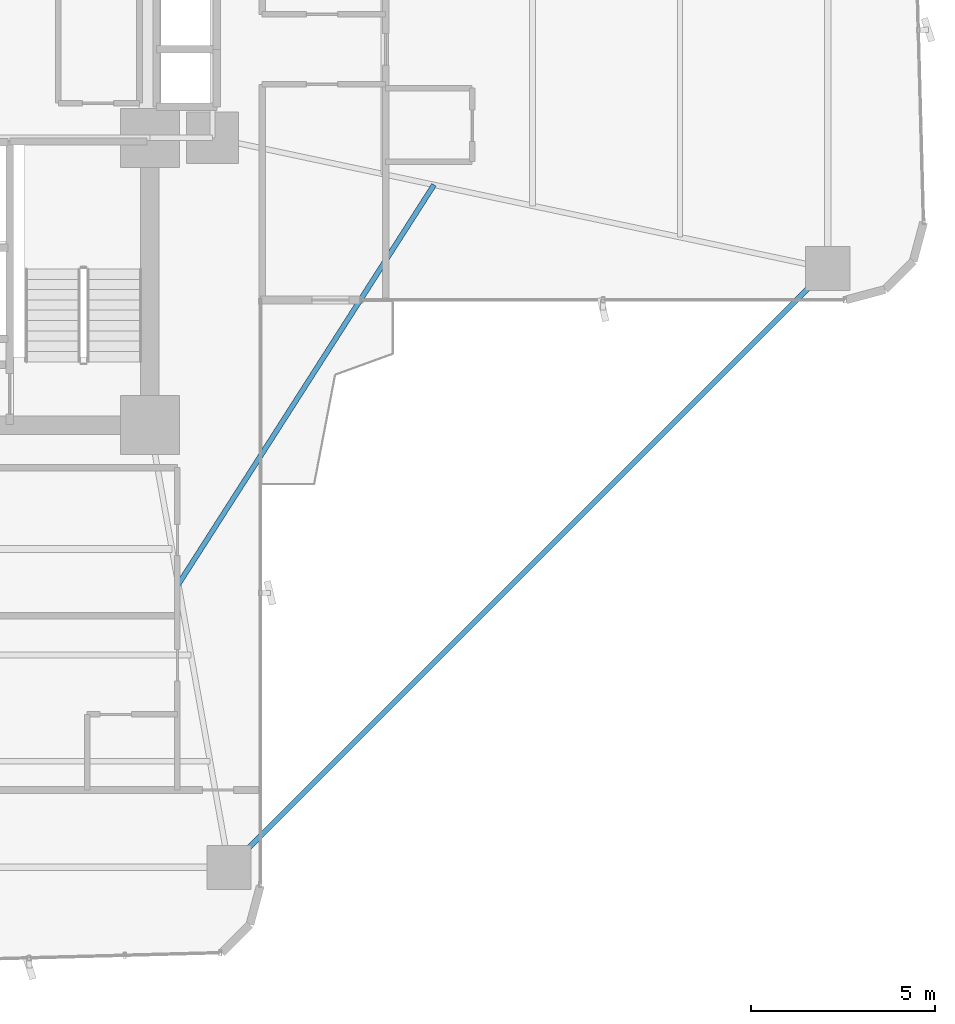
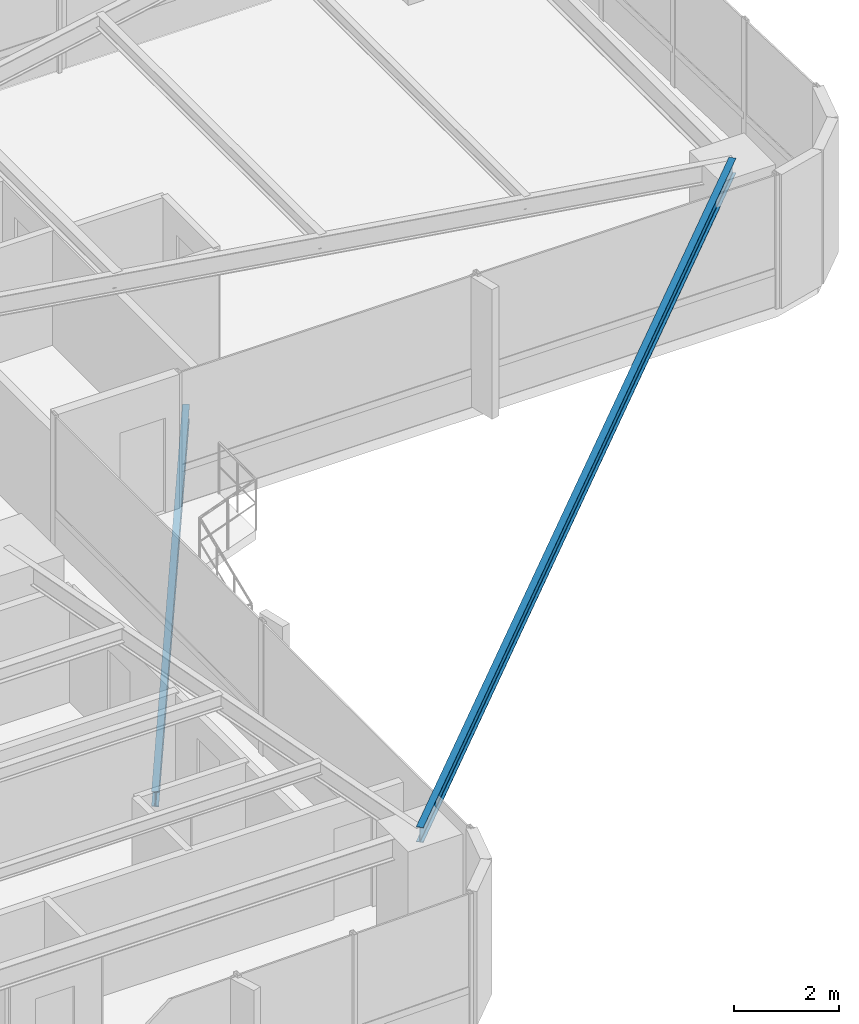
# One storey, part 13 of 26: 2 beams.
"""IFC4 building model written with IfcOpenShell, lengths in metres."""

from ifc_helpers import new_model, si_unit, direction, frame, origin, origin_2d, place, context, subcontext, project, spatial, i_section, extrude, source, transform, mapped, material, material_profile, profile_set, type_object, element, save


model = new_model("IFC4")

# Units and contexts
model_context = context("Model", 3, precision=1e-05, world=origin(), true_north=direction((0.0, 1.0)))
body_context = subcontext(model_context, "Body", "Model", "MODEL_VIEW")
ifc_project = project(units=[si_unit("LENGTHUNIT", "METRE"), si_unit("AREAUNIT", "SQUARE_METRE"), si_unit("VOLUMEUNIT", "CUBIC_METRE"), si_unit("PLANEANGLEUNIT", "RADIAN"), si_unit("MASSUNIT", "GRAM", prefix="KILO")], contexts=[model_context])

# Site, building, storey
site_placement = place(None, origin())
site = spatial("IfcSite", under=ifc_project, at=site_placement, CompositionType="ELEMENT")
building_placement = place(site_placement, origin())
building = spatial("IfcBuilding", under=site, at=building_placement, Name="Sahyath Konkavel Grand Hotel", CompositionType="ELEMENT")
storey_placement = place(building_placement, frame((0.0, 0.0, 29.800048828125)))
storey = spatial("IfcBuildingStorey", under=building, at=storey_placement, Name="L07", CompositionType="ELEMENT", Elevation=29.800048828125)

# Beams
ifc_material = material(Name="Steel E350", Category="steel")
ifc_material_profile_1 = material_profile(ifc_material, i_section(OverallWidth=0.139892578125, OverallDepth=0.35009765625, WebThickness=0.008056640625, FlangeThickness=0.01416015625, FilletRadius=0.013916015625, at=origin_2d()), Name="ISMB 350")
ifc_profile_set_1 = profile_set([ifc_material_profile_1], Name="Steel E350")
beam_type_1 = type_object("IfcBeamType", Name="BM-ISMB350", PredefinedType="BEAM", material=ifc_profile_set_1)
shared_shape_1 = source(origin(), body_context, "Body", "SweptSolid", [
    extrude(i_section(OverallWidth=0.139892578125, OverallDepth=0.35009765625, WebThickness=0.008056640625, FlangeThickness=0.01416015625, FilletRadius=0.013916015625, at=origin_2d()), origin(), (0.0, 0.0, 1.0), 22.98095703125),
])
beam_1_placement = place(storey_placement, frame((22.199951171875, -5.949951171875, 2.93505859375), z_axis=(-0.707106781187, -0.707106781187, 0.0), x_axis=(0.707106781187, -0.707106781187, 0.0)))
element("IfcBeam", 1, at=beam_1_placement, inside=storey, type_object=beam_type_1, Name="L07 Re-Entrant Tie Beam SE", PredefinedType="BEAM", context=body_context, shape_type="MappedRepresentation", body=[
    mapped(shared_shape_1, transform((0.0, 0.0, 0.0), scale=1.0)),
])
ifc_material_profile_2 = material_profile(ifc_material, i_section(OverallWidth=0.139892578125, OverallDepth=0.35009765625, WebThickness=0.008056640625, FlangeThickness=0.01416015625, FilletRadius=0.013916015625, at=origin_2d()), Name="ISMB 350")
ifc_profile_set_2 = profile_set([ifc_material_profile_2], Name="Steel E350")
beam_type_2 = type_object("IfcBeamType", Name="BM-BALC-CANT", PredefinedType="BEAM", material=ifc_profile_set_2)
shared_shape_2 = source(origin(), body_context, "Body", "SweptSolid", [
    extrude(i_section(OverallWidth=0.139892578125, OverallDepth=0.35009765625, WebThickness=0.008056640625, FlangeThickness=0.01416015625, FilletRadius=0.013916015625, at=origin_2d()), origin(), (0.0, 0.0, 1.0), 12.871826171875),
])
beam_2_placement = place(storey_placement, frame((4.573974609375, -14.52001953125, -0.4150390625), z_axis=(0.539003102535, 0.842303778608, 0.0), x_axis=(-0.842303778608, 0.539003102535, 0.0)))
element("IfcBeam", 2, at=beam_2_placement, inside=storey, type_object=beam_type_2, Name="L07 Balcony Cantilever Support Beam SE", PredefinedType="BEAM", context=body_context, shape_type="MappedRepresentation", body=[
    mapped(shared_shape_2, transform((0.0, 0.0, 0.0), scale=1.0)),
])

save(model, "model.ifc")
